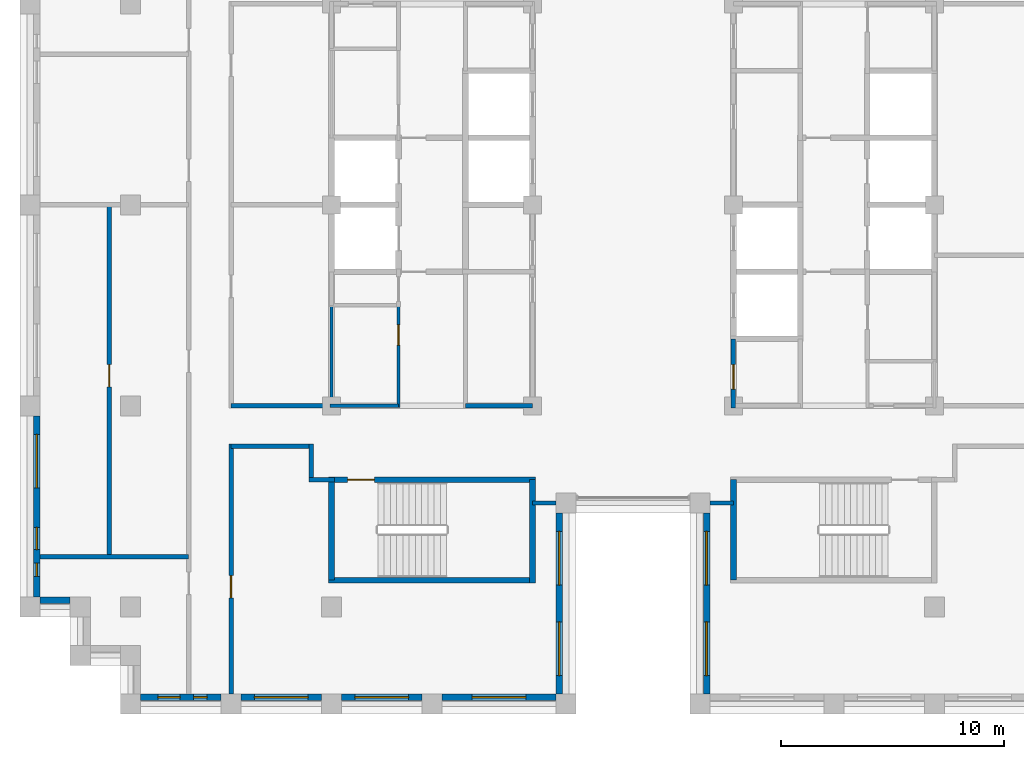
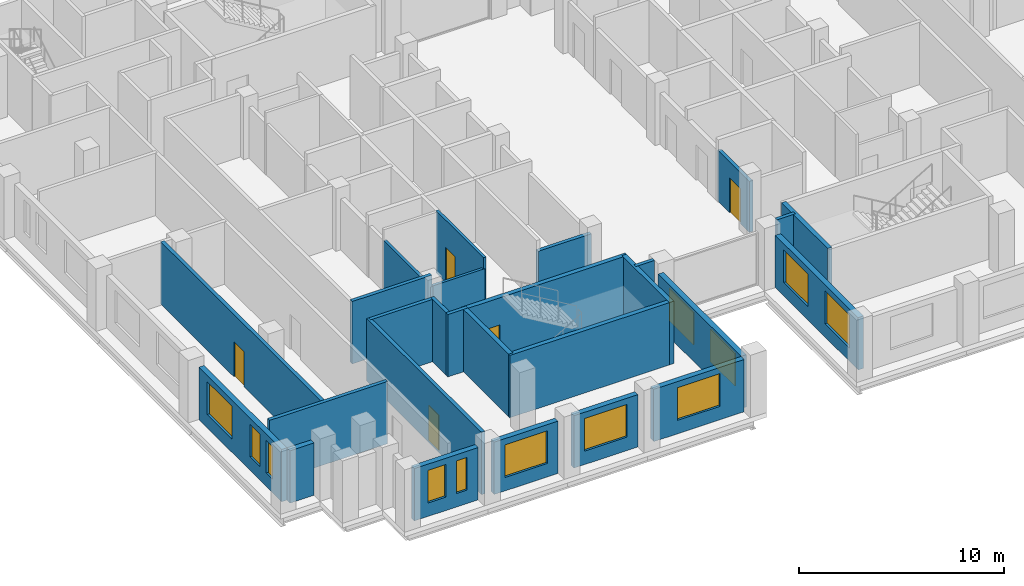
# One storey, part 6 of 13: 27 walls, 12 windows, 5 doors, 17 openings.
"""IFC4 building model written with IfcOpenShell, lengths in metres."""

from ifc_helpers import new_model, si_unit, direction, frame, frame_2d, origin, place, context, subcontext, project, spatial, rectangle, extrude, material, layer, layer_set, type_object, element, fill, save


model = new_model("IFC4")

# Units and contexts
model_context = context("Model", 3, precision=1e-05, world=origin(), true_north=direction((0.0, 1.0)))
body_context = subcontext(model_context, "Body", "Model", "MODEL_VIEW")
ifc_project = project(units=[si_unit("LENGTHUNIT", "METRE"), si_unit("AREAUNIT", "SQUARE_METRE"), si_unit("VOLUMEUNIT", "CUBIC_METRE"), si_unit("PLANEANGLEUNIT", "RADIAN"), si_unit("MASSUNIT", "GRAM", prefix="KILO")], contexts=[model_context])

# Site, building, storey
site_placement = place(None, origin())
site = spatial("IfcSite", under=ifc_project, at=site_placement, CompositionType="ELEMENT")
building_placement = place(site_placement, origin())
building = spatial("IfcBuilding", under=site, at=building_placement, Name="Corbelhall Arena Tower", CompositionType="ELEMENT")
storey_placement = place(building_placement, frame((0.0, 0.0, 274.0)))
storey = spatial("IfcBuildingStorey", under=building, at=storey_placement, Name="L59", CompositionType="ELEMENT", Elevation=274.0)

# Wall, openings, windows
ifc_material_1 = material(Name="Precast concrete C40/50 with granite facing", Category="masonry")
ifc_layer_1 = layer(ifc_material_1, 0.300048828125)
ifc_layer_set_1 = layer_set([ifc_layer_1], Name="EV-IW1 Infill panel 300")
wall_type_1 = type_object("IfcWallType", Name="EV-IW1 Infill panel 300", PredefinedType="SOLIDWALL", material=ifc_layer_set_1)
wall_1_placement = place(storey_placement, frame((-26.699951171875, -9.449951171875, 0.0), z_axis=(0.0, 0.0, 1.0), x_axis=(0.0, -1.0, 0.0)))
wall_1 = element("IfcWall", 1, at=wall_1_placement, inside=storey, type_object=wall_type_1, Name="Infill panel IW1", PredefinedType="SOLIDWALL", context=body_context, shape_type="SweptSolid", body=[
    extrude(rectangle(XDim=8.10009765625, YDim=0.300048828125, at=frame_2d((4.050048828125, 0.0))), origin(), (0.0, 0.0, 1.0), 3.1201171875),
])
opening_1_placement = place(wall_1_placement, frame((0.824951171875, 0.0, 0.800048828125)))
opening_1 = element("IfcOpeningElement", 2, at=opening_1_placement, cuts=wall_1, Name="Opening WN1", PredefinedType="OPENING", context=body_context, shape_type="SweptSolid", body=[
    extrude(rectangle(XDim=2.39990234375, YDim=1.949951171875, at=frame_2d((1.199951171875, 0.97509765625))), frame((0.0, 0.14990234375, 0.0), z_axis=(0.0, -1.0, 0.0), x_axis=(1.0, 0.0, 0.0)), (0.0, 0.0, 1.0), 0.300048828125),
])
opening_2_placement = place(wall_1_placement, frame((4.987548828125, 0.0, 0.800048828125)))
opening_2 = element("IfcOpeningElement", 3, at=opening_2_placement, cuts=wall_1, Name="Opening WN6", PredefinedType="OPENING", context=body_context, shape_type="SweptSolid", body=[
    extrude(rectangle(XDim=1.0, YDim=1.949951171875, at=frame_2d((0.5, 0.97509765625))), frame((0.0, 0.14990234375, 0.0), z_axis=(0.0, -1.0, 0.0), x_axis=(1.0, 0.0, 0.0)), (0.0, 0.0, 1.0), 0.300048828125),
])
opening_3_placement = place(wall_1_placement, frame((6.58740234375, 0.0, 0.800048828125)))
opening_3 = element("IfcOpeningElement", 4, at=opening_3_placement, cuts=wall_1, Name="Opening WN5", PredefinedType="OPENING", context=body_context, shape_type="SweptSolid", body=[
    extrude(rectangle(XDim=0.60009765625, YDim=1.949951171875, at=frame_2d((0.300048828125, 0.97509765625))), frame((0.0, 0.14990234375, 0.0), z_axis=(0.0, -1.0, 0.0), x_axis=(1.0, 0.0, 0.0)), (0.0, 0.0, 1.0), 0.300048828125),
])
ifc_material_2 = material(Name="Aluminium black anodised", Category="aluminium")
window_type_1 = type_object("IfcWindowType", Name="EV-WN1 Office window", PartitioningType="SINGLE_PANEL", PredefinedType="WINDOW", material=ifc_material_2)
window_1_placement = place(opening_1_placement, origin())
window_1 = element("IfcWindow", 5, at=window_1_placement, inside=storey, type_object=window_type_1, Name="Window WN1", OverallHeight=1.949951171875, OverallWidth=2.39990234375, PartitioningType="SINGLE_PANEL", PredefinedType="WINDOW", context=body_context, shape_type="SweptSolid", body=[
    extrude(rectangle(XDim=2.39990234375, YDim=1.949951171875, at=frame_2d((1.199951171875, 0.97509765625))), frame((0.0, 0.030029296875, 0.0), z_axis=(0.0, -1.0, 0.0), x_axis=(1.0, 0.0, 0.0)), (0.0, 0.0, 1.0), 0.06005859375),
])
fill(opening_1, window_1)
window_type_2 = type_object("IfcWindowType", Name="EV-WN5 Office window 600", PartitioningType="SINGLE_PANEL", PredefinedType="WINDOW", material=ifc_material_2)
window_2_placement = place(opening_3_placement, origin())
window_2 = element("IfcWindow", 6, at=window_2_placement, inside=storey, type_object=window_type_2, Name="Window WN5", OverallHeight=1.949951171875, OverallWidth=0.60009765625, PartitioningType="SINGLE_PANEL", PredefinedType="WINDOW", context=body_context, shape_type="SweptSolid", body=[
    extrude(rectangle(XDim=0.60009765625, YDim=1.949951171875, at=frame_2d((0.300048828125, 0.97509765625))), frame((0.0, 0.030029296875, 0.0), z_axis=(0.0, -1.0, 0.0), x_axis=(1.0, 0.0, 0.0)), (0.0, 0.0, 1.0), 0.06005859375),
])
fill(opening_3, window_2)
window_type_3 = type_object("IfcWindowType", Name="EV-WN6 Office window 1000", PartitioningType="SINGLE_PANEL", PredefinedType="WINDOW", material=ifc_material_2)
window_3_placement = place(opening_2_placement, origin())
window_3 = element("IfcWindow", 7, at=window_3_placement, inside=storey, type_object=window_type_3, Name="Window WN6", OverallHeight=1.949951171875, OverallWidth=1.0, PartitioningType="SINGLE_PANEL", PredefinedType="WINDOW", context=body_context, shape_type="SweptSolid", body=[
    extrude(rectangle(XDim=1.0, YDim=1.949951171875, at=frame_2d((0.5, 0.97509765625))), frame((0.0, 0.030029296875, 0.0), z_axis=(0.0, -1.0, 0.0), x_axis=(1.0, 0.0, 0.0)), (0.0, 0.0, 1.0), 0.06005859375),
])
fill(opening_2, window_3)

# Wall
wall_2_placement = place(storey_placement, frame((-26.550048828125, -17.699951171875, 0.0), z_axis=(0.0, 0.0, 1.0), x_axis=(1.0, 0.0, 0.0)))
element("IfcWall", 8, at=wall_2_placement, inside=storey, type_object=wall_type_1, Name="Infill panel IW1", PredefinedType="SOLIDWALL", context=body_context, shape_type="SweptSolid", body=[
    extrude(rectangle(XDim=1.35009765625, YDim=0.300048828125, at=frame_2d((0.675048828125, 0.0))), origin(), (0.0, 0.0, 1.0), 3.1201171875),
])

# Wall, openings, windows
wall_3_placement = place(storey_placement, frame((-22.050048828125, -22.050048828125, 0.0), z_axis=(0.0, 0.0, 1.0), x_axis=(1.0, 0.0, 0.0)))
wall_3 = element("IfcWall", 9, at=wall_3_placement, inside=storey, type_object=wall_type_1, Name="Infill panel IW1", PredefinedType="SOLIDWALL", context=body_context, shape_type="SweptSolid", body=[
    extrude(rectangle(XDim=3.60009765625, YDim=0.300048828125, at=frame_2d((1.800048828125, 0.0))), origin(), (0.0, 0.0, 1.0), 3.1201171875),
])
opening_4_placement = place(wall_3_placement, frame((0.77490234375, 0.0, 0.800048828125)))
opening_4 = element("IfcOpeningElement", 10, at=opening_4_placement, cuts=wall_3, Name="Opening WN6", PredefinedType="OPENING", context=body_context, shape_type="SweptSolid", body=[
    extrude(rectangle(XDim=1.0, YDim=1.949951171875, at=frame_2d((0.5, 0.97509765625))), frame((0.0, 0.14990234375, 0.0), z_axis=(0.0, -1.0, 0.0), x_axis=(1.0, 0.0, 0.0)), (0.0, 0.0, 1.0), 0.300048828125),
])
opening_5_placement = place(wall_3_placement, frame((2.375, 0.0, 0.800048828125)))
opening_5 = element("IfcOpeningElement", 11, at=opening_5_placement, cuts=wall_3, Name="Opening WN5", PredefinedType="OPENING", context=body_context, shape_type="SweptSolid", body=[
    extrude(rectangle(XDim=0.60009765625, YDim=1.949951171875, at=frame_2d((0.300048828125, 0.97509765625))), frame((0.0, 0.14990234375, 0.0), z_axis=(0.0, -1.0, 0.0), x_axis=(1.0, 0.0, 0.0)), (0.0, 0.0, 1.0), 0.300048828125),
])
window_4_placement = place(opening_5_placement, origin())
window_4 = element("IfcWindow", 12, at=window_4_placement, inside=storey, type_object=window_type_2, Name="Window WN5", OverallHeight=1.949951171875, OverallWidth=0.60009765625, PartitioningType="SINGLE_PANEL", PredefinedType="WINDOW", context=body_context, shape_type="SweptSolid", body=[
    extrude(rectangle(XDim=0.60009765625, YDim=1.949951171875, at=frame_2d((0.300048828125, 0.97509765625))), frame((0.0, 0.030029296875, 0.0), z_axis=(0.0, -1.0, 0.0), x_axis=(1.0, 0.0, 0.0)), (0.0, 0.0, 1.0), 0.06005859375),
])
fill(opening_5, window_4)
window_5_placement = place(opening_4_placement, origin())
window_5 = element("IfcWindow", 13, at=window_5_placement, inside=storey, type_object=window_type_3, Name="Window WN6", OverallHeight=1.949951171875, OverallWidth=1.0, PartitioningType="SINGLE_PANEL", PredefinedType="WINDOW", context=body_context, shape_type="SweptSolid", body=[
    extrude(rectangle(XDim=1.0, YDim=1.949951171875, at=frame_2d((0.5, 0.97509765625))), frame((0.0, 0.030029296875, 0.0), z_axis=(0.0, -1.0, 0.0), x_axis=(1.0, 0.0, 0.0)), (0.0, 0.0, 1.0), 0.06005859375),
])
fill(opening_4, window_5)

# Wall, opening, window
wall_4_placement = place(storey_placement, frame((-17.550048828125, -22.050048828125, 0.0), z_axis=(0.0, 0.0, 1.0), x_axis=(1.0, 0.0, 0.0)))
wall_4 = element("IfcWall", 14, at=wall_4_placement, inside=storey, type_object=wall_type_1, Name="Infill panel IW1", PredefinedType="SOLIDWALL", context=body_context, shape_type="SweptSolid", body=[
    extrude(rectangle(XDim=3.60009765625, YDim=0.300048828125, at=frame_2d((1.800048828125, 0.0))), origin(), (0.0, 0.0, 1.0), 3.1201171875),
])
opening_6_placement = place(wall_4_placement, frame((0.60009765625, 0.0, 0.800048828125)))
opening_6 = element("IfcOpeningElement", 15, at=opening_6_placement, cuts=wall_4, Name="Opening WN1", PredefinedType="OPENING", context=body_context, shape_type="SweptSolid", body=[
    extrude(rectangle(XDim=2.39990234375, YDim=1.949951171875, at=frame_2d((1.199951171875, 0.97509765625))), frame((0.0, 0.14990234375, 0.0), z_axis=(0.0, -1.0, 0.0), x_axis=(1.0, 0.0, 0.0)), (0.0, 0.0, 1.0), 0.300048828125),
])
window_6_placement = place(opening_6_placement, origin())
window_6 = element("IfcWindow", 16, at=window_6_placement, inside=storey, type_object=window_type_1, Name="Window WN1", OverallHeight=1.949951171875, OverallWidth=2.39990234375, PartitioningType="SINGLE_PANEL", PredefinedType="WINDOW", context=body_context, shape_type="SweptSolid", body=[
    extrude(rectangle(XDim=2.39990234375, YDim=1.949951171875, at=frame_2d((1.199951171875, 0.97509765625))), frame((0.0, 0.030029296875, 0.0), z_axis=(0.0, -1.0, 0.0), x_axis=(1.0, 0.0, 0.0)), (0.0, 0.0, 1.0), 0.06005859375),
])
fill(opening_6, window_6)

wall_5_placement = place(storey_placement, frame((-13.050048828125, -22.050048828125, 0.0), z_axis=(0.0, 0.0, 1.0), x_axis=(1.0, 0.0, 0.0)))
wall_5 = element("IfcWall", 17, at=wall_5_placement, inside=storey, type_object=wall_type_1, Name="Infill panel IW1", PredefinedType="SOLIDWALL", context=body_context, shape_type="SweptSolid", body=[
    extrude(rectangle(XDim=3.60009765625, YDim=0.300048828125, at=frame_2d((1.800048828125, 0.0))), origin(), (0.0, 0.0, 1.0), 3.1201171875),
])
opening_7_placement = place(wall_5_placement, frame((0.60009765625, 0.0, 0.800048828125)))
opening_7 = element("IfcOpeningElement", 18, at=opening_7_placement, cuts=wall_5, Name="Opening WN1", PredefinedType="OPENING", context=body_context, shape_type="SweptSolid", body=[
    extrude(rectangle(XDim=2.39990234375, YDim=1.949951171875, at=frame_2d((1.199951171875, 0.97509765625))), frame((0.0, 0.14990234375, 0.0), z_axis=(0.0, -1.0, 0.0), x_axis=(1.0, 0.0, 0.0)), (0.0, 0.0, 1.0), 0.300048828125),
])
window_7_placement = place(opening_7_placement, origin())
window_7 = element("IfcWindow", 19, at=window_7_placement, inside=storey, type_object=window_type_1, Name="Window WN1", OverallHeight=1.949951171875, OverallWidth=2.39990234375, PartitioningType="SINGLE_PANEL", PredefinedType="WINDOW", context=body_context, shape_type="SweptSolid", body=[
    extrude(rectangle(XDim=2.39990234375, YDim=1.949951171875, at=frame_2d((1.199951171875, 0.97509765625))), frame((0.0, 0.030029296875, 0.0), z_axis=(0.0, -1.0, 0.0), x_axis=(1.0, 0.0, 0.0)), (0.0, 0.0, 1.0), 0.06005859375),
])
fill(opening_7, window_7)

wall_6_placement = place(storey_placement, frame((-8.550048828125, -22.050048828125, 0.0), z_axis=(0.0, 0.0, 1.0), x_axis=(1.0, 0.0, 0.0)))
wall_6 = element("IfcWall", 20, at=wall_6_placement, inside=storey, type_object=wall_type_1, Name="Infill panel IW1", PredefinedType="SOLIDWALL", context=body_context, shape_type="SweptSolid", body=[
    extrude(rectangle(XDim=5.10009765625, YDim=0.300048828125, at=frame_2d((2.550048828125, 0.0))), origin(), (0.0, 0.0, 1.0), 3.1201171875),
])
opening_8_placement = place(wall_6_placement, frame((1.35009765625, 0.0, 0.800048828125)))
opening_8 = element("IfcOpeningElement", 21, at=opening_8_placement, cuts=wall_6, Name="Opening WN1", PredefinedType="OPENING", context=body_context, shape_type="SweptSolid", body=[
    extrude(rectangle(XDim=2.39990234375, YDim=1.949951171875, at=frame_2d((1.199951171875, 0.97509765625))), frame((0.0, 0.14990234375, 0.0), z_axis=(0.0, -1.0, 0.0), x_axis=(1.0, 0.0, 0.0)), (0.0, 0.0, 1.0), 0.300048828125),
])
window_8_placement = place(opening_8_placement, origin())
window_8 = element("IfcWindow", 22, at=window_8_placement, inside=storey, type_object=window_type_1, Name="Window WN1", OverallHeight=1.949951171875, OverallWidth=2.39990234375, PartitioningType="SINGLE_PANEL", PredefinedType="WINDOW", context=body_context, shape_type="SweptSolid", body=[
    extrude(rectangle(XDim=2.39990234375, YDim=1.949951171875, at=frame_2d((1.199951171875, 0.97509765625))), frame((0.0, 0.030029296875, 0.0), z_axis=(0.0, -1.0, 0.0), x_axis=(1.0, 0.0, 0.0)), (0.0, 0.0, 1.0), 0.06005859375),
])
fill(opening_8, window_8)

# Wall, openings, windows
wall_7_placement = place(storey_placement, frame((-3.300048828125, -21.89990234375, 0.0), z_axis=(0.0, 0.0, 1.0), x_axis=(0.0, 1.0, 0.0)))
wall_7 = element("IfcWall", 23, at=wall_7_placement, inside=storey, type_object=wall_type_1, Name="Infill panel IW1", PredefinedType="SOLIDWALL", context=body_context, shape_type="SweptSolid", body=[
    extrude(rectangle(XDim=8.099853515625, YDim=0.300048828125, at=frame_2d((4.0498046875, 0.0))), origin(), (0.0, 0.0, 1.0), 3.1201171875),
])
opening_9_placement = place(wall_7_placement, frame((0.824951171875, 0.0, 0.800048828125)))
opening_9 = element("IfcOpeningElement", 24, at=opening_9_placement, cuts=wall_7, Name="Opening WN1", PredefinedType="OPENING", context=body_context, shape_type="SweptSolid", body=[
    extrude(rectangle(XDim=2.39990234375, YDim=1.949951171875, at=frame_2d((1.199951171875, 0.97509765625))), frame((0.0, 0.14990234375, 0.0), z_axis=(0.0, -1.0, 0.0), x_axis=(1.0, 0.0, 0.0)), (0.0, 0.0, 1.0), 0.300048828125),
])
opening_10_placement = place(wall_7_placement, frame((4.875, 0.0, 0.800048828125)))
opening_10 = element("IfcOpeningElement", 25, at=opening_10_placement, cuts=wall_7, Name="Opening WN1", PredefinedType="OPENING", context=body_context, shape_type="SweptSolid", body=[
    extrude(rectangle(XDim=2.39990234375, YDim=1.949951171875, at=frame_2d((1.199951171875, 0.97509765625))), frame((0.0, 0.14990234375, 0.0), z_axis=(0.0, -1.0, 0.0), x_axis=(1.0, 0.0, 0.0)), (0.0, 0.0, 1.0), 0.300048828125),
])
window_9_placement = place(opening_9_placement, origin())
window_9 = element("IfcWindow", 26, at=window_9_placement, inside=storey, type_object=window_type_1, Name="Window WN1", OverallHeight=1.949951171875, OverallWidth=2.39990234375, PartitioningType="SINGLE_PANEL", PredefinedType="WINDOW", context=body_context, shape_type="SweptSolid", body=[
    extrude(rectangle(XDim=2.39990234375, YDim=1.949951171875, at=frame_2d((1.199951171875, 0.97509765625))), frame((0.0, 0.030029296875, 0.0), z_axis=(0.0, -1.0, 0.0), x_axis=(1.0, 0.0, 0.0)), (0.0, 0.0, 1.0), 0.06005859375),
])
fill(opening_9, window_9)
window_10_placement = place(opening_10_placement, origin())
window_10 = element("IfcWindow", 27, at=window_10_placement, inside=storey, type_object=window_type_1, Name="Window WN1", OverallHeight=1.949951171875, OverallWidth=2.39990234375, PartitioningType="SINGLE_PANEL", PredefinedType="WINDOW", context=body_context, shape_type="SweptSolid", body=[
    extrude(rectangle(XDim=2.39990234375, YDim=1.949951171875, at=frame_2d((1.199951171875, 0.97509765625))), frame((0.0, 0.030029296875, 0.0), z_axis=(0.0, -1.0, 0.0), x_axis=(1.0, 0.0, 0.0)), (0.0, 0.0, 1.0), 0.06005859375),
])
fill(opening_10, window_10)

wall_8_placement = place(storey_placement, frame((3.300048828125, -13.800048828125, 0.0), z_axis=(0.0, 0.0, 1.0), x_axis=(0.0, -1.0, 0.0)))
wall_8 = element("IfcWall", 28, at=wall_8_placement, inside=storey, type_object=wall_type_1, Name="Infill panel IW1", PredefinedType="SOLIDWALL", context=body_context, shape_type="SweptSolid", body=[
    extrude(rectangle(XDim=8.099853515625, YDim=0.300048828125, at=frame_2d((4.0498046875, 0.0))), origin(), (0.0, 0.0, 1.0), 3.1201171875),
])
opening_11_placement = place(wall_8_placement, frame((0.824951171875, 0.0, 0.800048828125)))
opening_11 = element("IfcOpeningElement", 29, at=opening_11_placement, cuts=wall_8, Name="Opening WN1", PredefinedType="OPENING", context=body_context, shape_type="SweptSolid", body=[
    extrude(rectangle(XDim=2.39990234375, YDim=1.949951171875, at=frame_2d((1.199951171875, 0.97509765625))), frame((0.0, 0.14990234375, 0.0), z_axis=(0.0, -1.0, 0.0), x_axis=(1.0, 0.0, 0.0)), (0.0, 0.0, 1.0), 0.300048828125),
])
opening_12_placement = place(wall_8_placement, frame((4.875, 0.0, 0.800048828125)))
opening_12 = element("IfcOpeningElement", 30, at=opening_12_placement, cuts=wall_8, Name="Opening WN1", PredefinedType="OPENING", context=body_context, shape_type="SweptSolid", body=[
    extrude(rectangle(XDim=2.39990234375, YDim=1.949951171875, at=frame_2d((1.199951171875, 0.97509765625))), frame((0.0, 0.14990234375, 0.0), z_axis=(0.0, -1.0, 0.0), x_axis=(1.0, 0.0, 0.0)), (0.0, 0.0, 1.0), 0.300048828125),
])
window_11_placement = place(opening_11_placement, origin())
window_11 = element("IfcWindow", 31, at=window_11_placement, inside=storey, type_object=window_type_1, Name="Window WN1", OverallHeight=1.949951171875, OverallWidth=2.39990234375, PartitioningType="SINGLE_PANEL", PredefinedType="WINDOW", context=body_context, shape_type="SweptSolid", body=[
    extrude(rectangle(XDim=2.39990234375, YDim=1.949951171875, at=frame_2d((1.199951171875, 0.97509765625))), frame((0.0, 0.030029296875, 0.0), z_axis=(0.0, -1.0, 0.0), x_axis=(1.0, 0.0, 0.0)), (0.0, 0.0, 1.0), 0.06005859375),
])
fill(opening_11, window_11)
window_12_placement = place(opening_12_placement, origin())
window_12 = element("IfcWindow", 32, at=window_12_placement, inside=storey, type_object=window_type_1, Name="Window WN1", OverallHeight=1.949951171875, OverallWidth=2.39990234375, PartitioningType="SINGLE_PANEL", PredefinedType="WINDOW", context=body_context, shape_type="SweptSolid", body=[
    extrude(rectangle(XDim=2.39990234375, YDim=1.949951171875, at=frame_2d((1.199951171875, 0.97509765625))), frame((0.0, 0.030029296875, 0.0), z_axis=(0.0, -1.0, 0.0), x_axis=(1.0, 0.0, 0.0)), (0.0, 0.0, 1.0), 0.06005859375),
])
fill(opening_12, window_12)

# Wall
ifc_material_3 = material(Name="Gypsum board on steel stud, acoustic", Category="steel")
ifc_layer_2 = layer(ifc_material_3, 0.199951171875)
ifc_layer_set_2 = layer_set([ifc_layer_2], Name="IN-W-DM200")
wall_type_2 = type_object("IfcWallType", Name="IN-W-DM200", PredefinedType="PARTITIONING", material=ifc_layer_set_2)
wall_9_placement = place(storey_placement, frame((-26.550048828125, -15.75, 0.0), z_axis=(0.0, 0.0, 1.0), x_axis=(1.0, 0.0, 0.0)))
element("IfcWall", 33, at=wall_9_placement, inside=storey, type_object=wall_type_2, Name="Partition 001", PredefinedType="PARTITIONING", context=body_context, shape_type="SweptSolid", body=[
    extrude(rectangle(XDim=6.650146484375, YDim=0.199951171875, at=frame_2d((3.3251953125, 0.0))), origin(), (0.0, 0.0, 1.0), 3.719970703125),
])

# Wall, opening, door
wall_10_placement = place(storey_placement, frame((-23.449951171875, -15.75, 0.0), z_axis=(0.0, 0.0, 1.0), x_axis=(0.0, 1.0, 0.0)))
wall_10 = element("IfcWall", 34, at=wall_10_placement, inside=storey, type_object=wall_type_2, Name="Partition 004", PredefinedType="PARTITIONING", context=body_context, shape_type="SweptSolid", body=[
    extrude(rectangle(XDim=15.75, YDim=0.199951171875, at=frame_2d((7.875, 0.0))), origin(), (0.0, 0.0, 1.0), 3.719970703125),
])
opening_13_placement = place(wall_10_placement, frame((7.60009765625, 0.0, 0.0)))
opening_13 = element("IfcOpeningElement", 35, at=opening_13_placement, cuts=wall_10, Name="Opening 18035", PredefinedType="OPENING", context=body_context, shape_type="SweptSolid", body=[
    extrude(rectangle(XDim=1.0, YDim=2.10009765625, at=frame_2d((0.5, 1.050048828125))), frame((0.0, 0.10009765625, 0.0), z_axis=(0.0, -1.0, 0.0), x_axis=(1.0, 0.0, 0.0)), (0.0, 0.0, 1.0), 0.199951171875),
])
ifc_material_4 = material(Name="Steel door set", Category="steel")
door_type_1 = type_object("IfcDoorType", Name="IN-D-SW100", OperationType="NOTDEFINED", PredefinedType="DOOR", material=ifc_material_4)
door_1_placement = place(opening_13_placement, origin())
door_1 = element("IfcDoor", 36, at=door_1_placement, inside=storey, type_object=door_type_1, Name="Door 035", OperationType="SINGLE_SWING_RIGHT", OverallHeight=2.10009765625, OverallWidth=1.0, PredefinedType="DOOR", context=body_context, shape_type="SweptSolid", body=[
    extrude(rectangle(XDim=1.0, YDim=2.10009765625, at=frame_2d((0.5, 1.050048828125))), frame((0.0, 0.02490234375, 0.0), z_axis=(0.0, -1.0, 0.0), x_axis=(1.0, 0.0, 0.0)), (0.0, 0.0, 1.0), 0.050048828125),
])
fill(opening_13, door_1)

wall_11_placement = place(storey_placement, frame((-18.0, -10.699951171875, 0.0), z_axis=(0.0, 0.0, 1.0), x_axis=(0.0, -1.0, 0.0)))
wall_11 = element("IfcWall", 37, at=wall_11_placement, inside=storey, type_object=wall_type_2, Name="Partition 009", PredefinedType="PARTITIONING", context=body_context, shape_type="SweptSolid", body=[
    extrude(rectangle(XDim=11.199951171875, YDim=0.199951171875, at=frame_2d((5.60009765625, 0.0))), origin(), (0.0, 0.0, 1.0), 3.719970703125),
])
opening_14_placement = place(wall_11_placement, frame((5.89990234375, 0.0, 0.0)))
opening_14 = element("IfcOpeningElement", 38, at=opening_14_placement, cuts=wall_11, Name="Opening 18028", PredefinedType="OPENING", context=body_context, shape_type="SweptSolid", body=[
    extrude(rectangle(XDim=1.0, YDim=2.10009765625, at=frame_2d((0.5, 1.050048828125))), frame((0.0, 0.10009765625, 0.0), z_axis=(0.0, -1.0, 0.0), x_axis=(1.0, 0.0, 0.0)), (0.0, 0.0, 1.0), 0.199951171875),
])
door_2_placement = place(opening_14_placement, origin())
door_2 = element("IfcDoor", 39, at=door_2_placement, inside=storey, type_object=door_type_1, Name="Door 028", OperationType="SINGLE_SWING_LEFT", OverallHeight=2.10009765625, OverallWidth=1.0, PredefinedType="DOOR", context=body_context, shape_type="SweptSolid", body=[
    extrude(rectangle(XDim=1.0, YDim=2.10009765625, at=frame_2d((0.5, 1.050048828125))), frame((0.0, 0.02490234375, 0.0), z_axis=(0.0, -1.0, 0.0), x_axis=(1.0, 0.0, 0.0)), (0.0, 0.0, 1.0), 0.050048828125),
])
fill(opening_14, door_2)

# Walls
wall_12_placement = place(storey_placement, frame((-18.0, -9.0, 0.0), z_axis=(0.0, 0.0, 1.0), x_axis=(1.0, 0.0, 0.0)))
element("IfcWall", 40, at=wall_12_placement, inside=storey, type_object=wall_type_2, Name="Partition 010", PredefinedType="PARTITIONING", context=body_context, shape_type="SweptSolid", body=[
    extrude(rectangle(XDim=4.5, YDim=0.199951171875, at=frame_2d((2.25, 0.0))), origin(), (0.0, 0.0, 1.0), 3.719970703125),
])
wall_13_placement = place(storey_placement, frame((-14.39990234375, -12.300048828125, 0.0), z_axis=(0.0, 0.0, 1.0), x_axis=(0.0, 1.0, 0.0)))
element("IfcWall", 41, at=wall_13_placement, inside=storey, type_object=wall_type_2, Name="Partition 018", PredefinedType="PARTITIONING", context=body_context, shape_type="SweptSolid", body=[
    extrude(rectangle(XDim=1.60009765625, YDim=0.199951171875, at=frame_2d((0.800048828125, 0.0))), origin(), (0.0, 0.0, 1.0), 3.719970703125),
])
wall_14_placement = place(storey_placement, frame((-14.39990234375, -10.800048828125, 0.0), z_axis=(0.0, 0.0, 1.0), x_axis=(-1.0, 0.0, 0.0)))
element("IfcWall", 42, at=wall_14_placement, inside=storey, type_object=wall_type_2, Name="Partition 019", PredefinedType="PARTITIONING", context=body_context, shape_type="SweptSolid", body=[
    extrude(rectangle(XDim=3.60009765625, YDim=0.199951171875, at=frame_2d((1.800048828125, 0.0))), origin(), (0.0, 0.0, 1.0), 3.719970703125),
])
wall_15_placement = place(storey_placement, frame((-13.375, -12.300048828125, 0.0), z_axis=(0.0, 0.0, 1.0), x_axis=(-1.0, 0.0, 0.0)))
element("IfcWall", 43, at=wall_15_placement, inside=storey, type_object=wall_type_2, Name="Partition 022", PredefinedType="PARTITIONING", context=body_context, shape_type="SweptSolid", body=[
    extrude(rectangle(XDim=1.125, YDim=0.199951171875, at=frame_2d((0.5625, 0.0))), origin(), (0.0, 0.0, 1.0), 3.719970703125),
])
for number, where, z_axis, x_axis, name in (
    (44, (-3.449951171875, -13.35009765625, 0.0), (0.0, 0.0, 1.0), (-1.0, 0.0, 0.0), "Partition 024"),
    (45, (4.5, -13.35009765625, 0.0), (0.0, 0.0, 1.0), (-1.0, 0.0, 0.0), "Partition 026"),
):
    element("IfcWall", number, at=place(storey_placement, frame(where, z_axis=z_axis, x_axis=x_axis)), inside=storey, type_object=wall_type_2, Name=name, PredefinedType="PARTITIONING", context=body_context, shape_type="SweptSolid", body=[
        extrude(rectangle(XDim=1.050048828125, YDim=0.199951171875, at=frame_2d((0.52490234375, 0.0))), origin(), (0.0, 0.0, 1.0), 3.719970703125),
    ])
ifc_material_5 = material(Name="Concrete block wall", Category="concrete")
ifc_layer_3 = layer(ifc_material_5, 0.199951171875)
ifc_layer_set_3 = layer_set([ifc_layer_3], Name="IN-W-RS200 under beam 678 mm")
wall_type_3 = type_object("IfcWallType", Name="IN-W-RS200 under beam 678 mm", PredefinedType="SOLIDWALL", material=ifc_layer_set_3)
wall_16_placement = place(storey_placement, frame((-4.5, -9.0, 0.0), z_axis=(0.0, 0.0, 1.0), x_axis=(-1.0, 0.0, 0.0)))
element("IfcWall", 46, at=wall_16_placement, inside=storey, type_object=wall_type_3, Name="Partition 052", PredefinedType="SOLIDWALL", context=body_context, shape_type="SweptSolid", body=[
    extrude(rectangle(XDim=3.0, YDim=0.199951171875, at=frame_2d((1.5, 0.0))), origin(), (0.0, 0.0, 1.0), 3.041748046875),
])

# Wall, opening, door
wall_17_placement = place(storey_placement, frame((4.5, -9.10009765625, 0.0), z_axis=(0.0, 0.0, 1.0), x_axis=(0.0, 1.0, 0.0)))
wall_17 = element("IfcWall", 47, at=wall_17_placement, inside=storey, type_object=wall_type_3, Name="Partition 056", PredefinedType="SOLIDWALL", context=body_context, shape_type="SweptSolid", body=[
    extrude(rectangle(XDim=3.10009765625, YDim=0.199951171875, at=frame_2d((1.550048828125, 0.0))), origin(), (0.0, 0.0, 1.0), 3.041748046875),
])
opening_15_placement = place(wall_17_placement, frame((0.85009765625, 0.0, 0.0)))
opening_15 = element("IfcOpeningElement", 48, at=opening_15_placement, cuts=wall_17, Name="Opening 18010", PredefinedType="OPENING", context=body_context, shape_type="SweptSolid", body=[
    extrude(rectangle(XDim=1.10009765625, YDim=2.10009765625, at=frame_2d((0.550048828125, 1.050048828125))), frame((0.0, 0.10009765625, 0.0), z_axis=(0.0, -1.0, 0.0), x_axis=(1.0, 0.0, 0.0)), (0.0, 0.0, 1.0), 0.199951171875),
])
door_type_2 = type_object("IfcDoorType", Name="IN-D-FD110", OperationType="NOTDEFINED", PredefinedType="DOOR", material=ifc_material_4)
door_3_placement = place(opening_15_placement, origin())
door_3 = element("IfcDoor", 49, at=door_3_placement, inside=storey, type_object=door_type_2, Name="Door 010", OperationType="SINGLE_SWING_LEFT", OverallHeight=2.10009765625, OverallWidth=1.10009765625, PredefinedType="DOOR", context=body_context, shape_type="SweptSolid", body=[
    extrude(rectangle(XDim=1.10009765625, YDim=2.10009765625, at=frame_2d((0.550048828125, 1.050048828125))), frame((0.0, 0.02490234375, 0.0), z_axis=(0.0, -1.0, 0.0), x_axis=(1.0, 0.0, 0.0)), (0.0, 0.0, 1.0), 0.050048828125),
])
fill(opening_15, door_3)

# Walls
ifc_material_6 = material(Name="Concrete C40/50", Category="concrete")
ifc_layer_4 = layer(ifc_material_6, 0.25)
ifc_layer_set_4 = layer_set([ifc_layer_4], Name="IN-W-ST250")
wall_type_4 = type_object("IfcWallType", Name="IN-W-ST250", PredefinedType="SOLIDWALL", material=ifc_layer_set_4)
wall_18_placement = place(storey_placement, frame((-13.5, -16.800048828125, 0.0), z_axis=(0.0, 0.0, 1.0), x_axis=(0.0, 1.0, 0.0)))
element("IfcWall", 50, at=wall_18_placement, inside=storey, type_object=wall_type_4, Name="Shaft wall 088", PredefinedType="SOLIDWALL", context=body_context, shape_type="SweptSolid", body=[
    extrude(rectangle(XDim=4.5, YDim=0.25, at=frame_2d((2.25, 0.0))), origin(), (0.0, 0.0, 1.0), 3.719970703125),
])
wall_19_placement = place(storey_placement, frame((-4.5, -16.800048828125, 0.0), z_axis=(0.0, 0.0, 1.0), x_axis=(-1.0, 0.0, 0.0)))
element("IfcWall", 51, at=wall_19_placement, inside=storey, type_object=wall_type_4, Name="Shaft wall 090", PredefinedType="SOLIDWALL", context=body_context, shape_type="SweptSolid", body=[
    extrude(rectangle(XDim=9.125, YDim=0.25, at=frame_2d((4.5625, 0.0))), origin(), (0.0, 0.0, 1.0), 3.719970703125),
])
wall_20_placement = place(storey_placement, frame((-4.5, -12.300048828125, 0.0), z_axis=(0.0, 0.0, 1.0), x_axis=(0.0, -1.0, 0.0)))
element("IfcWall", 52, at=wall_20_placement, inside=storey, type_object=wall_type_4, Name="Shaft wall 091", PredefinedType="SOLIDWALL", context=body_context, shape_type="SweptSolid", body=[
    extrude(rectangle(XDim=4.625, YDim=0.25, at=frame_2d((2.3125, 0.0))), origin(), (0.0, 0.0, 1.0), 3.719970703125),
])

# Wall, opening, door
wall_21_placement = place(storey_placement, frame((-4.375, -12.300048828125, 0.0), z_axis=(0.0, 0.0, 1.0), x_axis=(-1.0, 0.0, 0.0)))
wall_21 = element("IfcWall", 53, at=wall_21_placement, inside=storey, type_object=wall_type_4, Name="Shaft wall 093", PredefinedType="SOLIDWALL", context=body_context, shape_type="SweptSolid", body=[
    extrude(rectangle(XDim=9.25, YDim=0.25, at=frame_2d((4.625, 0.0))), origin(), (0.0, 0.0, 1.0), 3.719970703125),
])
opening_16_placement = place(wall_21_placement, frame((7.199951171875, 0.0, 0.0)))
opening_16 = element("IfcOpeningElement", 54, at=opening_16_placement, cuts=wall_21, Name="Opening 18019", PredefinedType="OPENING", context=body_context, shape_type="SweptSolid", body=[
    extrude(rectangle(XDim=1.199951171875, YDim=2.10009765625, at=frame_2d((0.60009765625, 1.050048828125))), frame((0.0, 0.125, 0.0), z_axis=(0.0, -1.0, 0.0), x_axis=(1.0, 0.0, 0.0)), (0.0, 0.0, 1.0), 0.25),
])
door_type_3 = type_object("IfcDoorType", Name="IN-D-ST120", OperationType="NOTDEFINED", PredefinedType="DOOR", material=ifc_material_4)
door_4_placement = place(opening_16_placement, origin())
door_4 = element("IfcDoor", 55, at=door_4_placement, inside=storey, type_object=door_type_3, Name="Door 019", OperationType="SINGLE_SWING_RIGHT", OverallHeight=2.10009765625, OverallWidth=1.199951171875, PredefinedType="DOOR", context=body_context, shape_type="SweptSolid", body=[
    extrude(rectangle(XDim=1.199951171875, YDim=2.10009765625, at=frame_2d((0.60009765625, 1.050048828125))), frame((0.0, 0.02490234375, 0.0), z_axis=(0.0, -1.0, 0.0), x_axis=(1.0, 0.0, 0.0)), (0.0, 0.0, 1.0), 0.050048828125),
])
fill(opening_16, door_4)

# Wall
wall_22_placement = place(storey_placement, frame((4.5, -16.800048828125, 0.0), z_axis=(0.0, 0.0, 1.0), x_axis=(0.0, 1.0, 0.0)))
element("IfcWall", 56, at=wall_22_placement, inside=storey, type_object=wall_type_4, Name="Shaft wall 096", PredefinedType="SOLIDWALL", context=body_context, shape_type="SweptSolid", body=[
    extrude(rectangle(XDim=4.5, YDim=0.25, at=frame_2d((2.25, 0.0))), origin(), (0.0, 0.0, 1.0), 3.719970703125),
])

# Wall, opening, door
ifc_material_7 = material(Name="Gypsum board on steel stud, moisture resistant", Category="steel")
ifc_layer_5 = layer(ifc_material_7, 0.14990234375)
ifc_layer_set_5 = layer_set([ifc_layer_5], Name="IN-W-WC150")
wall_type_5 = type_object("IfcWallType", Name="IN-W-WC150", PredefinedType="PARTITIONING", material=ifc_layer_set_5)
wall_23_placement = place(storey_placement, frame((-10.5, -9.074951171875, 0.0), z_axis=(0.0, 0.0, 1.0), x_axis=(0.0, 1.0, 0.0)))
wall_23 = element("IfcWall", 57, at=wall_23_placement, inside=storey, type_object=wall_type_5, Name="Partition 106", PredefinedType="PARTITIONING", context=body_context, shape_type="SweptSolid", body=[
    extrude(rectangle(XDim=4.64990234375, YDim=0.14990234375, at=frame_2d((2.324951171875, 0.0))), origin(), (0.0, 0.0, 1.0), 3.719970703125),
])
opening_17_placement = place(wall_23_placement, frame((2.800048828125, 0.0, 0.0)))
opening_17 = element("IfcOpeningElement", 58, at=opening_17_placement, cuts=wall_23, Name="Opening 18006", PredefinedType="OPENING", context=body_context, shape_type="SweptSolid", body=[
    extrude(rectangle(XDim=0.89990234375, YDim=2.10009765625, at=frame_2d((0.449951171875, 1.050048828125))), frame((0.0, 0.074951171875, 0.0), z_axis=(0.0, -1.0, 0.0), x_axis=(1.0, 0.0, 0.0)), (0.0, 0.0, 1.0), 0.14990234375),
])
ifc_material_8 = material(Name="Timber door set", Category="wood")
door_type_4 = type_object("IfcDoorType", Name="IN-D-SW90", OperationType="NOTDEFINED", PredefinedType="DOOR", material=ifc_material_8)
door_5_placement = place(opening_17_placement, origin())
door_5 = element("IfcDoor", 59, at=door_5_placement, inside=storey, type_object=door_type_4, Name="Door 006", OperationType="SINGLE_SWING_LEFT", OverallHeight=2.10009765625, OverallWidth=0.89990234375, PredefinedType="DOOR", context=body_context, shape_type="SweptSolid", body=[
    extrude(rectangle(XDim=0.89990234375, YDim=2.10009765625, at=frame_2d((0.449951171875, 1.050048828125))), frame((0.0, 0.02490234375, 0.0), z_axis=(0.0, -1.0, 0.0), x_axis=(1.0, 0.0, 0.0)), (0.0, 0.0, 1.0), 0.050048828125),
])
fill(opening_17, door_5)

# Walls
ifc_layer_6 = layer(ifc_material_7, 0.14990234375)
ifc_layer_set_6 = layer_set([ifc_layer_6], Name="IN-W-WC150 under beam 678 mm")
wall_type_6 = type_object("IfcWallType", Name="IN-W-WC150 under beam 678 mm", PredefinedType="PARTITIONING", material=ifc_layer_set_6)
wall_24_placement = place(storey_placement, frame((-13.5, -9.10009765625, 0.0), z_axis=(0.0, 0.0, 1.0), x_axis=(0.0, 1.0, 0.0)))
element("IfcWall", 60, at=wall_24_placement, inside=storey, type_object=wall_type_6, Name="Partition 104", PredefinedType="PARTITIONING", context=body_context, shape_type="SweptSolid", body=[
    extrude(rectangle(XDim=4.60009765625, YDim=0.14990234375, at=frame_2d((2.300048828125, 0.0))), origin(), (0.0, 0.0, 1.0), 3.041748046875),
])
wall_25_placement = place(storey_placement, frame((-10.5, -9.0, 0.0), z_axis=(0.0, 0.0, 1.0), x_axis=(-1.0, 0.0, 0.0)))
element("IfcWall", 61, at=wall_25_placement, inside=storey, type_object=wall_type_6, Name="Partition 107", PredefinedType="PARTITIONING", context=body_context, shape_type="SweptSolid", body=[
    extrude(rectangle(XDim=3.074951171875, YDim=0.14990234375, at=frame_2d((1.53759765625, 0.0))), origin(), (0.0, 0.0, 1.0), 3.041748046875),
])

save(model, "model.ifc")
